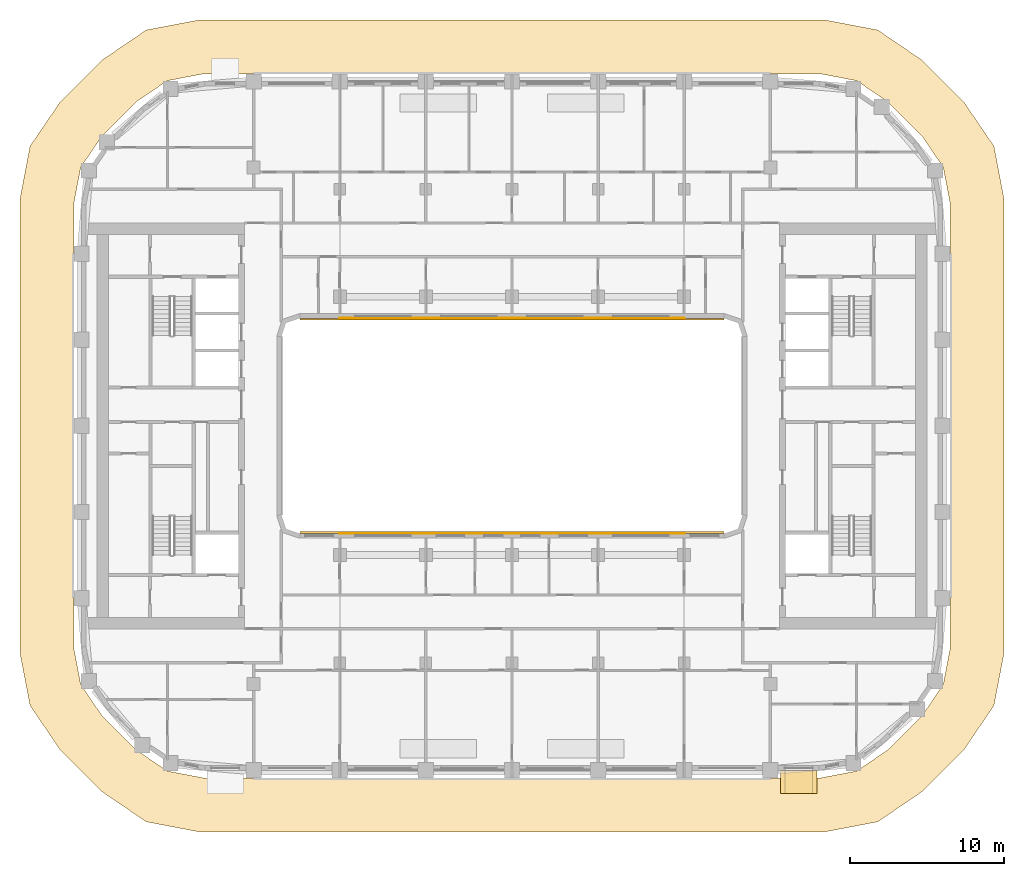
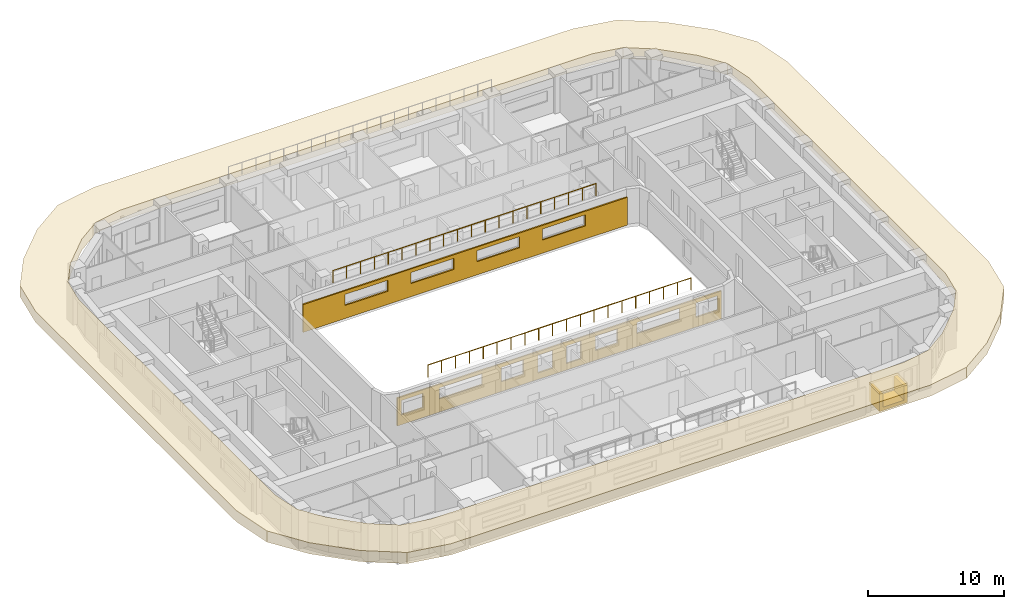
# One storey, part 14 of 17: 5 coverings, 2 railings.
"""IFC4 building model written with IfcOpenShell, lengths in metres."""

from ifc_helpers import new_model, si_unit, direction, frame, origin, origin_2d, place, context, subcontext, project, spatial, polyline, rectangle, circle, outline, extrude, material, layer, layer_set, type_object, element, save


model = new_model("IFC4")

# Units and contexts
model_context = context("Model", 3, precision=1e-05, world=origin(), true_north=direction((0.0, 1.0)))
body_context = subcontext(model_context, "Body", "Model", "MODEL_VIEW")
ifc_project = project(units=[si_unit("LENGTHUNIT", "METRE"), si_unit("AREAUNIT", "SQUARE_METRE"), si_unit("VOLUMEUNIT", "CUBIC_METRE"), si_unit("PLANEANGLEUNIT", "RADIAN"), si_unit("MASSUNIT", "GRAM", prefix="KILO")], contexts=[model_context])

# Site, building, storey
site_placement = place(None, origin())
site = spatial("IfcSite", under=ifc_project, at=site_placement, CompositionType="ELEMENT")
building_placement = place(site_placement, origin())
building = spatial("IfcBuilding", under=site, at=building_placement, Name="Kiln Ring Residences", CompositionType="ELEMENT")
storey_placement = place(building_placement, frame((0.0, 0.0, 174.60009765625)))
storey = spatial("IfcBuildingStorey", under=building, at=storey_placement, Name="L45", CompositionType="ELEMENT", Elevation=174.60009765625)

# Coverings
ifc_material_1 = material(Name="Brick masonry, dark clay brick", Category="masonry")
ifc_layer_1 = layer(ifc_material_1, 0.300048828125)
ifc_layer_set_1 = layer_set([ifc_layer_1], Name="FRAME CHEEKS AND SILL 1500")
covering_type_1 = type_object("IfcCoveringType", Name="FRAME CHEEKS AND SILL 1500", PredefinedType="CLADDING", material=ifc_layer_set_1)
covering_1_placement = place(storey_placement, frame((17.449951171875, -23.14990234375, 0.599853515625), z_axis=(0.0, 0.0, 1.0), x_axis=(1.0, 0.0, 0.0)))
element("IfcCovering", 1, at=covering_1_placement, inside=storey, type_object=covering_type_1, Name="FRAME L45", PredefinedType="CLADDING", context=body_context, shape_type="SweptSolid", body=[
    extrude(outline(polyline([(0.0, 0.0), (2.400146484375, 0.0), (2.39990234375, 1.550048828125), (2.10107421875, 1.550048828125), (2.10009765625, 0.300048828125), (0.300048828125, 0.300048828125), (0.299072265625, 1.550048828125), (0.0, 1.550048828125), (0.0, 0.0)])), frame((0.0, 0.75, 0.0), z_axis=(0.0, -1.0, 0.0), x_axis=(1.0, 0.0, 0.0)), (0.0, 0.0, 1.0), 1.5),
])
ifc_material_2 = material(Name="Brick masonry, dark clay brick", Category="masonry")
ifc_layer_2 = layer(ifc_material_2, 0.199951171875)
ifc_layer_set_2 = layer_set([ifc_layer_2], Name="FRAME HEAD 1500")
covering_type_2 = type_object("IfcCoveringType", Name="FRAME HEAD 1500", PredefinedType="CLADDING", material=ifc_layer_set_2)
covering_2_placement = place(storey_placement, frame((18.64990234375, -23.14990234375, 2.14990234375), z_axis=(0.0, 0.0, 1.0), x_axis=(1.0, 0.0, 0.0)))
element("IfcCovering", 2, at=covering_2_placement, inside=storey, type_object=covering_type_2, Name="FRAME HEAD L45", PredefinedType="CLADDING", context=body_context, shape_type="SweptSolid", body=[
    extrude(rectangle(XDim=2.39990234375, YDim=1.5, at=origin_2d()), origin(), (0.0, 0.0, 1.0), 0.199951171875),
])
ifc_material_3 = material(Name="Brick masonry, dark clay brick", Category="masonry")
ifc_layer_3 = layer(ifc_material_3, 0.1201171875)
ifc_layer_set_3 = layer_set([ifc_layer_3], Name="RAINSCREEN PANEL 120")
covering_type_3 = type_object("IfcCoveringType", Name="RAINSCREEN PANEL 120", PredefinedType="CLADDING", material=ifc_layer_set_3)
covering_3_placement = place(storey_placement, frame((-13.800048828125, 6.93994140625, 0.0), z_axis=(0.0, 0.0, 1.0), x_axis=(1.0, 0.0, 0.0)))
element("IfcCovering", 3, at=covering_3_placement, inside=storey, type_object=covering_type_3, Name="RAINSCREEN L45", PredefinedType="CLADDING", context=body_context, shape_type="SweptSolid", body=[
    extrude(outline(polyline([(0.0, 0.0), (27.60009765625, 0.0), (27.60009765625, 2.5), (0.0, 2.5), (0.0, 0.0)]), holes=[polyline([(7.219970703125, 1.179931640625), (7.219970703125, 2.169921875), (3.580078125, 2.169921875), (3.580078125, 1.179931640625), (7.219970703125, 1.179931640625)]), polyline([(12.820068359375, 1.179931640625), (12.820068359375, 2.169921875), (9.179931640625, 2.169921875), (9.179931640625, 1.179931640625), (12.820068359375, 1.179931640625)]), polyline([(18.419921875, 1.179931640625), (18.419921875, 2.169921875), (14.780029296875, 2.169921875), (14.780029296875, 1.179931640625), (18.419921875, 1.179931640625)]), polyline([(24.02001953125, 1.179931640625), (24.02001953125, 2.169921875), (20.3798828125, 2.169921875), (20.3798828125, 1.179931640625), (24.02001953125, 1.179931640625)])]), frame((0.0, 0.06005859375, 0.0), z_axis=(0.0, -1.0, 0.0), x_axis=(1.0, 0.0, 0.0)), (0.0, 0.0, 1.0), 0.1201171875),
])
covering_4_placement = place(storey_placement, frame((13.800048828125, -6.93994140625, 0.0), z_axis=(0.0, 0.0, 1.0), x_axis=(-1.0, 0.0, 0.0)))
element("IfcCovering", 4, at=covering_4_placement, inside=storey, type_object=covering_type_3, Name="RAINSCREEN L45", PredefinedType="CLADDING", context=body_context, shape_type="SweptSolid", body=[
    extrude(outline(polyline([(0.0, 0.0), (27.60009765625, 0.0), (27.60009765625, 2.5), (0.0, 2.5), (0.0, 0.0)]), holes=[polyline([(11.97998046875, 0.579833984375), (13.219970703125, 0.579833984375), (13.219970703125, 2.169921875), (11.97998046875, 2.169921875), (11.97998046875, 0.579833984375)]), polyline([(14.3798828125, 0.579833984375), (15.6201171875, 0.579833984375), (15.6201171875, 2.169921875), (14.3798828125, 2.169921875), (14.3798828125, 0.579833984375)]), polyline([(0.342529296875, 0.8798828125), (2.1826171875, 0.8798828125), (2.1826171875, 2.169921875), (0.342529296875, 2.169921875), (0.342529296875, 0.8798828125)]), polyline([(8.8798828125, 0.8798828125), (10.719970703125, 0.8798828125), (10.719970703125, 2.169921875), (8.8798828125, 2.169921875), (8.8798828125, 0.8798828125)]), polyline([(16.8798828125, 0.8798828125), (18.719970703125, 0.8798828125), (18.719970703125, 2.169921875), (16.8798828125, 2.169921875), (16.8798828125, 0.8798828125)]), polyline([(25.41748046875, 0.8798828125), (27.257568359375, 0.8798828125), (27.257568359375, 2.169921875), (25.41748046875, 2.169921875), (25.41748046875, 0.8798828125)]), polyline([(3.580078125, 1.179931640625), (7.219970703125, 1.179931640625), (7.219970703125, 2.169921875), (3.580078125, 2.169921875), (3.580078125, 1.179931640625)]), polyline([(20.3798828125, 1.179931640625), (24.02001953125, 1.179931640625), (24.02001953125, 2.169921875), (20.3798828125, 2.169921875), (20.3798828125, 1.179931640625)])]), frame((0.0, 0.06005859375, 0.0), z_axis=(0.0, -1.0, 0.0), x_axis=(1.0, 0.0, 0.0)), (0.0, 0.0, 1.0), 0.1201171875),
])

# Railings
ifc_material_4 = material(Name="Black powder-coated steel", Category="steel")
railing_type = type_object("IfcRailingType", Name="ROOF GUARD 1100", PredefinedType="GUARDRAIL", material=ifc_material_4)
railing_1_placement = place(storey_placement, frame((-11.199951171875, 7.0, 3.5)))
element("IfcRailing", 5, at=railing_1_placement, inside=storey, type_object=railing_type, Name="GUARD L45 sky portal terrace", PredefinedType="GUARDRAIL", context=body_context, shape_type="SweptSolid", body=[
    extrude(circle(Radius=0.02392578125, at=origin_2d()), frame((0.0, 0.0, 1.076171875), z_axis=(1.0, 0.0, 0.0), x_axis=(0.0, 1.0, 0.0)), (0.0, 0.0, 1.0), 22.39990234375),
    extrude(circle(Radius=0.02099609375, at=origin_2d()), origin(), (0.0, 0.0, 1.0), 1.052001953125),
    extrude(circle(Radius=0.02099609375, at=origin_2d()), frame((1.178955078125, 0.0, 0.0)), (0.0, 0.0, 1.0), 1.052001953125),
    extrude(circle(Radius=0.02099609375, at=origin_2d()), frame((2.35791015625, 0.0, 0.0)), (0.0, 0.0, 1.0), 1.052001953125),
    extrude(circle(Radius=0.02099609375, at=origin_2d()), frame((3.536865234375, 0.0, 0.0)), (0.0, 0.0, 1.0), 1.052001953125),
    extrude(circle(Radius=0.02099609375, at=origin_2d()), frame((4.7158203125, 0.0, 0.0)), (0.0, 0.0, 1.0), 1.052001953125),
    extrude(circle(Radius=0.02099609375, at=origin_2d()), frame((5.894775390625, 0.0, 0.0)), (0.0, 0.0, 1.0), 1.052001953125),
    extrude(circle(Radius=0.02099609375, at=origin_2d()), frame((7.07373046875, 0.0, 0.0)), (0.0, 0.0, 1.0), 1.052001953125),
    extrude(circle(Radius=0.02099609375, at=origin_2d()), frame((8.252685546875, 0.0, 0.0)), (0.0, 0.0, 1.0), 1.052001953125),
    extrude(circle(Radius=0.02099609375, at=origin_2d()), frame((9.431640625, 0.0, 0.0)), (0.0, 0.0, 1.0), 1.052001953125),
    extrude(circle(Radius=0.02099609375, at=origin_2d()), frame((10.610595703125, 0.0, 0.0)), (0.0, 0.0, 1.0), 1.052001953125),
    extrude(circle(Radius=0.02099609375, at=origin_2d()), frame((11.789306640625, 0.0, 0.0)), (0.0, 0.0, 1.0), 1.052001953125),
    extrude(circle(Radius=0.02099609375, at=origin_2d()), frame((12.96826171875, 0.0, 0.0)), (0.0, 0.0, 1.0), 1.052001953125),
    extrude(circle(Radius=0.02099609375, at=origin_2d()), frame((14.147216796875, 0.0, 0.0)), (0.0, 0.0, 1.0), 1.052001953125),
    extrude(circle(Radius=0.02099609375, at=origin_2d()), frame((15.326171875, 0.0, 0.0)), (0.0, 0.0, 1.0), 1.052001953125),
    extrude(circle(Radius=0.02099609375, at=origin_2d()), frame((16.505126953125, 0.0, 0.0)), (0.0, 0.0, 1.0), 1.052001953125),
    extrude(circle(Radius=0.02099609375, at=origin_2d()), frame((17.68408203125, 0.0, 0.0)), (0.0, 0.0, 1.0), 1.052001953125),
    extrude(circle(Radius=0.02099609375, at=origin_2d()), frame((18.863037109375, 0.0, 0.0)), (0.0, 0.0, 1.0), 1.052001953125),
    extrude(circle(Radius=0.02099609375, at=origin_2d()), frame((20.0419921875, 0.0, 0.0)), (0.0, 0.0, 1.0), 1.052001953125),
    extrude(circle(Radius=0.02099609375, at=origin_2d()), frame((21.220947265625, 0.0, 0.0)), (0.0, 0.0, 1.0), 1.052001953125),
    extrude(circle(Radius=0.02099609375, at=origin_2d()), frame((22.39990234375, 0.0, 0.0)), (0.0, 0.0, 1.0), 1.052001953125),
])
railing_2_placement = place(storey_placement, frame((11.199951171875, -7.0, 3.5)))
element("IfcRailing", 6, at=railing_2_placement, inside=storey, type_object=railing_type, Name="GUARD L45 sky portal terrace", PredefinedType="GUARDRAIL", context=body_context, shape_type="SweptSolid", body=[
    extrude(circle(Radius=0.02392578125, at=origin_2d()), frame((0.0, 0.0, 1.076171875), z_axis=(-1.0, 0.0, 0.0), x_axis=(0.0, -1.0, 0.0)), (0.0, 0.0, 1.0), 22.39990234375),
    extrude(circle(Radius=0.02099609375, at=origin_2d()), origin(), (0.0, 0.0, 1.0), 1.052001953125),
    extrude(circle(Radius=0.02099609375, at=origin_2d()), frame((-1.178955078125, 0.0, 0.0)), (0.0, 0.0, 1.0), 1.052001953125),
    extrude(circle(Radius=0.02099609375, at=origin_2d()), frame((-2.35791015625, 0.0, 0.0)), (0.0, 0.0, 1.0), 1.052001953125),
    extrude(circle(Radius=0.02099609375, at=origin_2d()), frame((-3.536865234375, 0.0, 0.0)), (0.0, 0.0, 1.0), 1.052001953125),
    extrude(circle(Radius=0.02099609375, at=origin_2d()), frame((-4.7158203125, 0.0, 0.0)), (0.0, 0.0, 1.0), 1.052001953125),
    extrude(circle(Radius=0.02099609375, at=origin_2d()), frame((-5.894775390625, 0.0, 0.0)), (0.0, 0.0, 1.0), 1.052001953125),
    extrude(circle(Radius=0.02099609375, at=origin_2d()), frame((-7.07373046875, 0.0, 0.0)), (0.0, 0.0, 1.0), 1.052001953125),
    extrude(circle(Radius=0.02099609375, at=origin_2d()), frame((-8.252685546875, 0.0, 0.0)), (0.0, 0.0, 1.0), 1.052001953125),
    extrude(circle(Radius=0.02099609375, at=origin_2d()), frame((-9.431640625, 0.0, 0.0)), (0.0, 0.0, 1.0), 1.052001953125),
    extrude(circle(Radius=0.02099609375, at=origin_2d()), frame((-10.610595703125, 0.0, 0.0)), (0.0, 0.0, 1.0), 1.052001953125),
    extrude(circle(Radius=0.02099609375, at=origin_2d()), frame((-11.789306640625, 0.0, 0.0)), (0.0, 0.0, 1.0), 1.052001953125),
    extrude(circle(Radius=0.02099609375, at=origin_2d()), frame((-12.96826171875, 0.0, 0.0)), (0.0, 0.0, 1.0), 1.052001953125),
    extrude(circle(Radius=0.02099609375, at=origin_2d()), frame((-14.147216796875, 0.0, 0.0)), (0.0, 0.0, 1.0), 1.052001953125),
    extrude(circle(Radius=0.02099609375, at=origin_2d()), frame((-15.326171875, 0.0, 0.0)), (0.0, 0.0, 1.0), 1.052001953125),
    extrude(circle(Radius=0.02099609375, at=origin_2d()), frame((-16.505126953125, 0.0, 0.0)), (0.0, 0.0, 1.0), 1.052001953125),
    extrude(circle(Radius=0.02099609375, at=origin_2d()), frame((-17.68408203125, 0.0, 0.0)), (0.0, 0.0, 1.0), 1.052001953125),
    extrude(circle(Radius=0.02099609375, at=origin_2d()), frame((-18.863037109375, 0.0, 0.0)), (0.0, 0.0, 1.0), 1.052001953125),
    extrude(circle(Radius=0.02099609375, at=origin_2d()), frame((-20.0419921875, 0.0, 0.0)), (0.0, 0.0, 1.0), 1.052001953125),
    extrude(circle(Radius=0.02099609375, at=origin_2d()), frame((-21.220947265625, 0.0, 0.0)), (0.0, 0.0, 1.0), 1.052001953125),
    extrude(circle(Radius=0.02099609375, at=origin_2d()), frame((-22.39990234375, 0.0, 0.0)), (0.0, 0.0, 1.0), 1.052001953125),
])

# Covering
ifc_material_5 = material(Name="Black powder-coated steel", Category="steel")
ifc_layer_4 = layer(ifc_material_5, 1.0)
ifc_layer_set_4 = layer_set([ifc_layer_4], Name="SUNSHADE FIN 3500")
covering_type_4 = type_object("IfcCoveringType", Name="SUNSHADE FIN 3500", PredefinedType="CLADDING", material=ifc_layer_set_4)
covering_5_placement = place(storey_placement, frame((0.0, 0.0, 2.5)))
element("IfcCovering", 7, at=covering_5_placement, inside=storey, type_object=covering_type_4, Name="SUNSHADE FIN L45", PredefinedType="CLADDING", context=body_context, shape_type="SweptSolid", body=[
    extrude(outline(polyline([(-31.349609375, -18.1875), (-29.398681640625, -21.05810546875), (-26.658203125, -23.798583984375), (-23.78759765625, -25.749755859375), (-20.378173828125, -26.39990234375), (20.378173828125, -26.39990234375), (23.78759765625, -25.749755859375), (26.658203125, -23.798583984375), (29.398681640625, -21.05810546875), (31.349609375, -18.1875), (32.0, -14.778076171875), (32.0, 14.778076171875), (31.349609375, 18.1875), (29.398681640625, 21.05810546875), (26.658203125, 23.798583984375), (23.78759765625, 25.749755859375), (20.378173828125, 26.39990234375), (-20.378173828125, 26.39990234375), (-23.78759765625, 25.749755859375), (-26.658203125, 23.798583984375), (-29.398681640625, 21.05810546875), (-31.349609375, 18.1875), (-32.0, 14.778076171875), (-32.0, -14.778076171875), (-31.349609375, -18.1875)]), holes=[polyline([(-24.417236328125, -21.08984375), (-26.68994140625, -18.817138671875), (-28.047607421875, -16.819580078125), (-28.5, -14.447265625), (-28.5, 14.447265625), (-28.047607421875, 16.819580078125), (-26.68994140625, 18.817138671875), (-24.417236328125, 21.08984375), (-22.419677734375, 22.447509765625), (-20.04736328125, 22.89990234375), (20.04736328125, 22.89990234375), (22.419677734375, 22.447509765625), (24.417236328125, 21.08984375), (26.68994140625, 18.817138671875), (28.047607421875, 16.819580078125), (28.5, 14.447265625), (28.5, -14.447265625), (28.047607421875, -16.819580078125), (26.68994140625, -18.817138671875), (24.417236328125, -21.08984375), (22.419677734375, -22.447509765625), (20.04736328125, -22.89990234375), (-20.04736328125, -22.89990234375), (-22.419677734375, -22.447509765625), (-24.417236328125, -21.08984375)])]), origin(), (0.0, 0.0, 1.0), 1.0),
])

save(model, "model.ifc")
